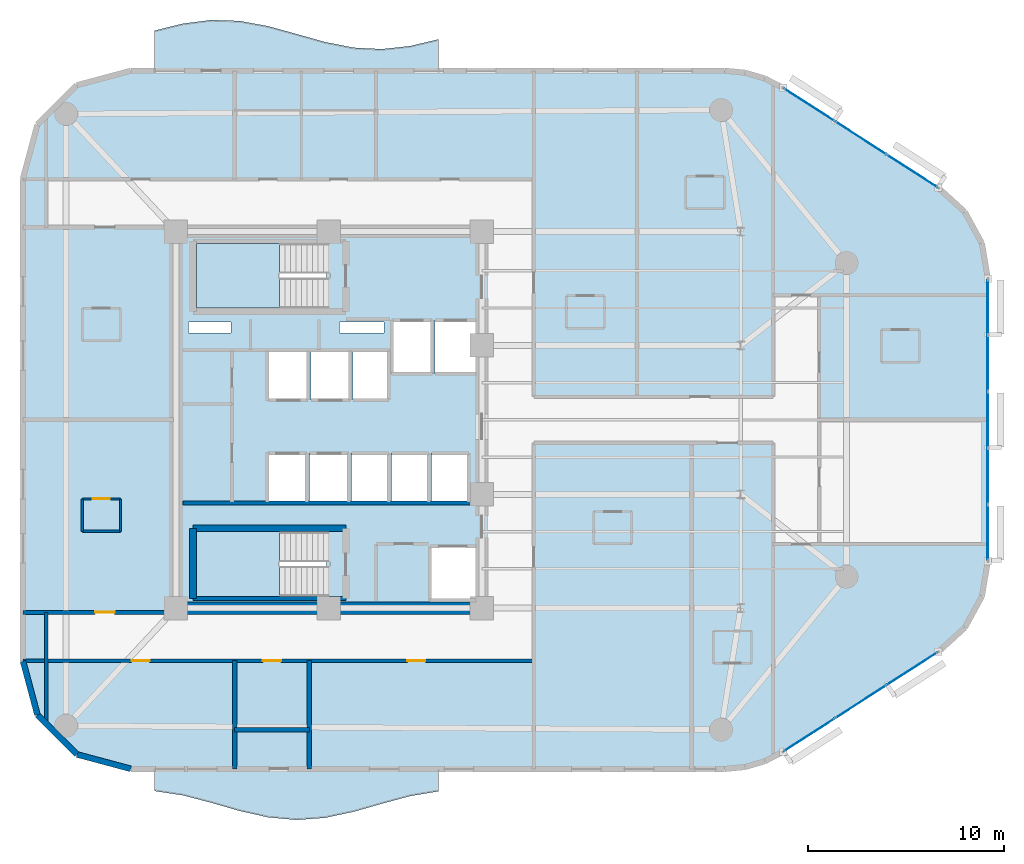
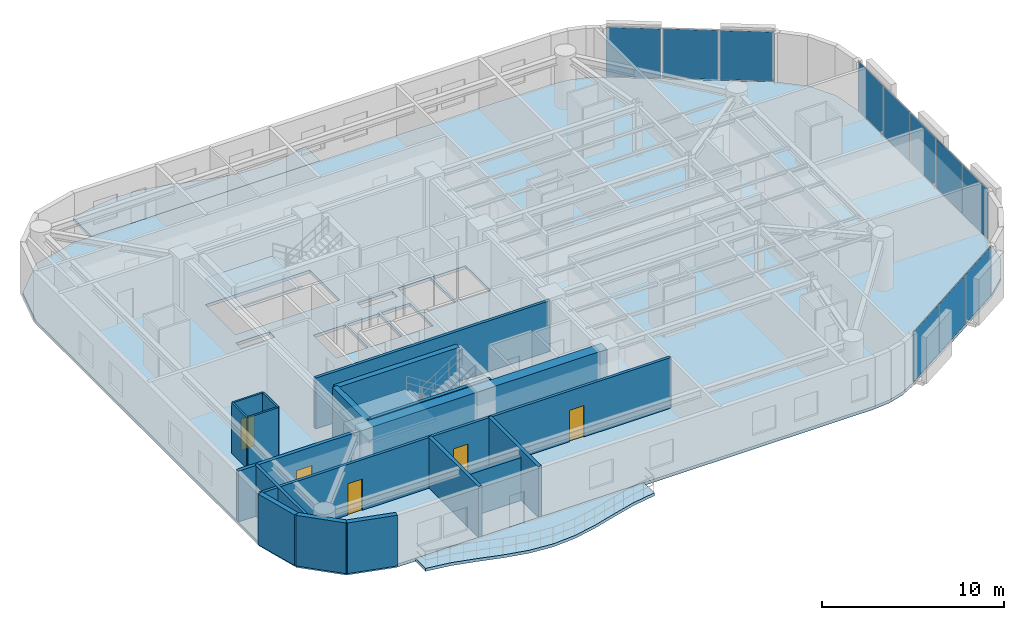
# One storey, part 9 of 15: 18 walls, 11 plates, 5 doors, 5 slabs, 5 openings, 5 elements without a shape of their own.
"""IFC4 building model written with IfcOpenShell, lengths in metres."""

from ifc_helpers import new_model, si_unit, direction, frame, frame_2d, origin, origin_2d, place, context, subcontext, project, spatial, polyline, rectangle, outline, extrude, material, layer, layer_set, type_object, element, fill, aggregate, save


model = new_model("IFC4")

# Units and contexts
model_context = context("Model", 3, precision=1e-05, world=origin(), true_north=direction((0.0, 1.0)))
body_context = subcontext(model_context, "Body", "Model", "MODEL_VIEW")
ifc_project = project(units=[si_unit("LENGTHUNIT", "METRE"), si_unit("AREAUNIT", "SQUARE_METRE"), si_unit("VOLUMEUNIT", "CUBIC_METRE"), si_unit("PLANEANGLEUNIT", "RADIAN"), si_unit("MASSUNIT", "GRAM", prefix="KILO")], contexts=[model_context])

# Site, building, storey
site_placement = place(None, origin())
site = spatial("IfcSite", under=ifc_project, at=site_placement, CompositionType="ELEMENT")
building_placement = place(site_placement, origin())
building = spatial("IfcBuilding", under=site, at=building_placement, Name="An Khanh Terracotta Commons", CompositionType="ELEMENT")
storey_placement = place(building_placement, frame((0.0, 0.0, 143.800048828125)))
storey = spatial("IfcBuildingStorey", under=building, at=storey_placement, Name="L37", CompositionType="ELEMENT", Elevation=143.800048828125)

# Curtain wall, plates
ifc_material_1 = material(Name="Anodised Aluminium 6063-T6", Category="aluminium")
ifc_layer_1 = layer(ifc_material_1, 0.2099609375, Name="Anodised Aluminium 6063-T6")
ifc_layer_set_1 = layer_set([ifc_layer_1], Name="Anodised Aluminium 6063-T6")
curtain_wall_type = type_object("IfcCurtainWallType", Name="CW-SYS-03", PredefinedType="USERDEFINED", material=ifc_layer_set_1)
curtain_wall_1_placement = place(storey_placement, origin())
curtain_wall_1 = element("IfcCurtainWall", 1, at=curtain_wall_1_placement, inside=storey, type_object=curtain_wall_type, Name="L37 CW-03 Unitised Curtain Wall CW-L37-08", ObjectType="UNITISED CURTAIN WALL", PredefinedType="USERDEFINED")
ifc_material_2 = material(Name="Acoustic Laminated Low-E Glazing", Category="glass")
ifc_layer_2 = layer(ifc_material_2, 0.035888671875, Name="Acoustic Laminated Low-E Glazing")
ifc_layer_set_2 = layer_set([ifc_layer_2], Name="Acoustic Laminated Low-E Glazing")
plate_type = type_object("IfcPlateType", Name="CWP-IGU-36", PredefinedType="CURTAIN_PANEL", material=ifc_layer_set_2)
plate_1_placement = place(storey_placement, frame((53.894287109375, 7.935546875, 0.0498046875), z_axis=(0.0, 0.0, 1.0), x_axis=(0.840702081986, 0.541497931062, 0.0)))
plate_1 = element("IfcPlate", 2, at=plate_1_placement, type_object=plate_type, Name="CW-03 panel 1.1", PredefinedType="CURTAIN_PANEL", context=body_context, shape_type="SweptSolid", body=[
    extrude(rectangle(XDim=3.034423828125, YDim=0.035888671875, at=origin_2d()), origin(), (0.0, 0.0, 1.0), 3.300048828125),
])
plate_2_placement = place(storey_placement, frame((56.51904296875, 9.6259765625, 0.0498046875), z_axis=(0.0, 0.0, 1.0), x_axis=(0.840702081986, 0.541497931062, 0.0)))
plate_2 = element("IfcPlate", 3, at=plate_2_placement, type_object=plate_type, Name="CW-03 panel 2.1", PredefinedType="CURTAIN_PANEL", context=body_context, shape_type="SweptSolid", body=[
    extrude(rectangle(XDim=3.0693359375, YDim=0.035888671875, at=origin_2d()), origin(), (0.0, 0.0, 1.0), 3.300048828125),
])
plate_3_placement = place(storey_placement, frame((59.1435546875, 11.31640625, 0.0498046875), z_axis=(0.0, 0.0, 1.0), x_axis=(0.840702081986, 0.541497931062, 0.0)))
plate_3 = element("IfcPlate", 4, at=plate_3_placement, type_object=plate_type, Name="CW-03 panel 3.1", PredefinedType="CURTAIN_PANEL", context=body_context, shape_type="SweptSolid", body=[
    extrude(rectangle(XDim=3.034423828125, YDim=0.035888671875, at=origin_2d()), origin(), (0.0, 0.0, 1.0), 3.300048828125),
])
aggregate(curtain_wall_1, [plate_1, plate_2, plate_3])

curtain_wall_2_placement = place(storey_placement, origin())
curtain_wall_2 = element("IfcCurtainWall", 5, at=curtain_wall_2_placement, inside=storey, type_object=curtain_wall_type, Name="L37 CW-03 Unitised Curtain Wall CW-L37-12", ObjectType="UNITISED CURTAIN WALL", PredefinedType="USERDEFINED")
plate_4_placement = place(storey_placement, frame((63.0, 18.257568359375, 0.0498046875), z_axis=(0.0, 0.0, 1.0), x_axis=(0.0, 1.0, 0.0)))
plate_4 = element("IfcPlate", 6, at=plate_4_placement, type_object=plate_type, Name="CW-03 panel 1.1", PredefinedType="CURTAIN_PANEL", context=body_context, shape_type="SweptSolid", body=[
    extrude(rectangle(XDim=2.77490234375, YDim=0.035888671875, at=origin_2d()), origin(), (0.0, 0.0, 1.0), 3.300048828125),
])
plate_5_placement = place(storey_placement, frame((63.0, 21.1201171875, 0.0498046875), z_axis=(0.0, 0.0, 1.0), x_axis=(0.0, 1.0, 0.0)))
plate_5 = element("IfcPlate", 7, at=plate_5_placement, type_object=plate_type, Name="CW-03 panel 2.1", PredefinedType="CURTAIN_PANEL", context=body_context, shape_type="SweptSolid", body=[
    extrude(rectangle(XDim=2.81005859375, YDim=0.035888671875, at=origin_2d()), origin(), (0.0, 0.0, 1.0), 3.300048828125),
])
plate_6_placement = place(storey_placement, frame((63.0, 24.0, 0.0498046875), z_axis=(0.0, 0.0, 1.0), x_axis=(0.0, 1.0, 0.0)))
plate_6 = element("IfcPlate", 8, at=plate_6_placement, type_object=plate_type, Name="CW-03 panel 3.1", PredefinedType="CURTAIN_PANEL", context=body_context, shape_type="SweptSolid", body=[
    extrude(rectangle(XDim=2.81005859375, YDim=0.035888671875, at=origin_2d()), origin(), (0.0, 0.0, 1.0), 3.300048828125),
])
plate_7_placement = place(storey_placement, frame((63.0, 26.8798828125, 0.0498046875), z_axis=(0.0, 0.0, 1.0), x_axis=(0.0, 1.0, 0.0)))
plate_7 = element("IfcPlate", 9, at=plate_7_placement, type_object=plate_type, Name="CW-03 panel 4.1", PredefinedType="CURTAIN_PANEL", context=body_context, shape_type="SweptSolid", body=[
    extrude(rectangle(XDim=2.81005859375, YDim=0.035888671875, at=origin_2d()), origin(), (0.0, 0.0, 1.0), 3.300048828125),
])
plate_8_placement = place(storey_placement, frame((63.0, 29.742431640625, 0.0498046875), z_axis=(0.0, 0.0, 1.0), x_axis=(0.0, 1.0, 0.0)))
plate_8 = element("IfcPlate", 10, at=plate_8_placement, type_object=plate_type, Name="CW-03 panel 5.1", PredefinedType="CURTAIN_PANEL", context=body_context, shape_type="SweptSolid", body=[
    extrude(rectangle(XDim=2.77490234375, YDim=0.035888671875, at=origin_2d()), origin(), (0.0, 0.0, 1.0), 3.300048828125),
])
aggregate(curtain_wall_2, [plate_4, plate_5, plate_6, plate_7, plate_8])

curtain_wall_3_placement = place(storey_placement, origin())
curtain_wall_3 = element("IfcCurtainWall", 11, at=curtain_wall_3_placement, inside=storey, type_object=curtain_wall_type, Name="L37 CW-03 Unitised Curtain Wall CW-L37-16", ObjectType="UNITISED CURTAIN WALL", PredefinedType="USERDEFINED")
plate_9_placement = place(storey_placement, frame((59.1435546875, 36.68359375, 0.0498046875), z_axis=(0.0, 0.0, 1.0), x_axis=(-0.840702081986, 0.541497931062, 0.0)))
plate_9 = element("IfcPlate", 12, at=plate_9_placement, type_object=plate_type, Name="CW-03 panel 1.1", PredefinedType="CURTAIN_PANEL", context=body_context, shape_type="SweptSolid", body=[
    extrude(rectangle(XDim=3.034423828125, YDim=0.035888671875, at=origin_2d()), origin(), (0.0, 0.0, 1.0), 3.300048828125),
])
plate_10_placement = place(storey_placement, frame((56.51904296875, 38.3740234375, 0.0498046875), z_axis=(0.0, 0.0, 1.0), x_axis=(-0.840702081986, 0.541497931062, 0.0)))
plate_10 = element("IfcPlate", 13, at=plate_10_placement, type_object=plate_type, Name="CW-03 panel 2.1", PredefinedType="CURTAIN_PANEL", context=body_context, shape_type="SweptSolid", body=[
    extrude(rectangle(XDim=3.0693359375, YDim=0.035888671875, at=origin_2d()), origin(), (0.0, 0.0, 1.0), 3.300048828125),
])
plate_11_placement = place(storey_placement, frame((53.894287109375, 40.064453125, 0.0498046875), z_axis=(0.0, 0.0, 1.0), x_axis=(-0.840702081986, 0.541497931062, 0.0)))
plate_11 = element("IfcPlate", 14, at=plate_11_placement, type_object=plate_type, Name="CW-03 panel 3.1", PredefinedType="CURTAIN_PANEL", context=body_context, shape_type="SweptSolid", body=[
    extrude(rectangle(XDim=3.034423828125, YDim=0.035888671875, at=origin_2d()), origin(), (0.0, 0.0, 1.0), 3.300048828125),
])
aggregate(curtain_wall_3, [plate_9, plate_10, plate_11])

# Slabs
ifc_material_3 = material(Name="Concrete C40/50", Category="concrete")
ifc_layer_3 = layer(ifc_material_3, 0.199951171875, Name="Concrete C40/50")
ifc_layer_set_3 = layer_set([ifc_layer_3], Name="Concrete C40/50")
slab_type_1 = type_object("IfcSlabType", Name="SLAB-BALC-200", PredefinedType="FLOOR", material=ifc_layer_set_3)
slab_1_placement = place(storey_placement, frame((0.0, 0.0, -0.199951171875)))
element("IfcSlab", 15, at=slab_1_placement, inside=storey, type_object=slab_type_1, Name="L37 S Sinusoidal Wave Balcony Slab", PredefinedType="FLOOR", context=body_context, shape_type="SweptSolid", body=[
    extrude(outline(polyline([(20.5, 6.199951171875), (20.5, 5.073974609375), (21.949951171875, 4.85498046875), (23.39990234375, 4.47705078125), (24.85009765625, 4.05810546875), (26.300048828125, 3.73193359375), (27.75, 3.60009765625), (29.199951171875, 3.705078125), (30.64990234375, 4.013916015625), (32.10009765625, 4.427978515625), (33.550048828125, 4.818115234375), (35.0, 5.06005859375), (35.0, 6.199951171875), (20.5, 6.199951171875)])), origin(), (0.0, 0.0, 1.0), 0.199951171875),
])
slab_2_placement = place(storey_placement, frame((0.0, 0.0, -0.199951171875)))
element("IfcSlab", 16, at=slab_2_placement, inside=storey, type_object=slab_type_1, Name="L37 N Sinusoidal Wave Balcony Slab", PredefinedType="FLOOR", context=body_context, shape_type="SweptSolid", body=[
    extrude(outline(polyline([(35.0, 41.800048828125), (35.0, 43.408935546875), (33.550048828125, 43.06396484375), (32.10009765625, 42.904052734375), (30.64990234375, 42.97998046875), (29.199951171875, 43.26708984375), (27.75, 43.675048828125), (26.300048828125, 44.074951171875), (24.85009765625, 44.341064453125), (23.39990234375, 44.388916015625), (21.949951171875, 44.2041015625), (20.5, 43.843994140625), (20.5, 41.800048828125), (35.0, 41.800048828125)])), origin(), (0.0, 0.0, 1.0), 0.199951171875),
])

# Stair, slab
ifc_material_4 = material(Name="Precast concrete C40/50", Category="concrete")
stair_type = type_object("IfcStairType", Name="STAIR-CORE-1550", PredefinedType="HALF_TURN_STAIR", material=ifc_material_4)
stair_1_placement = place(storey_placement, origin())
stair_1 = element("IfcStair", 17, at=stair_1_placement, inside=storey, type_object=stair_type, Name="L37 Core Smokeproof Exit Stair ST-01", PredefinedType="HALF_TURN_STAIR")
ifc_layer_4 = layer(ifc_material_3, 0.18994140625, Name="Concrete C40/50")
ifc_layer_set_4 = layer_set([ifc_layer_4], Name="Concrete C40/50")
slab_type_2 = type_object("IfcSlabType", Name="SLAB-LANDING-190", PredefinedType="LANDING", material=ifc_layer_set_4)
slab_3_placement = place(storey_placement, frame((0.0, 0.0, 1.599853515625)))
slab_3 = element("IfcSlab", 18, at=slab_3_placement, type_object=slab_type_2, Name="ST-01 landing 1", PredefinedType="LANDING", context=body_context, shape_type="SweptSolid", body=[
    extrude(outline(polyline([(26.889892578125, 33.0), (22.64990234375, 33.0), (22.64990234375, 29.699951171875), (26.889892578125, 29.699951171875), (26.889892578125, 33.0)])), origin(), (0.0, 0.0, 1.0), 0.2001953125),
])
aggregate(stair_1, [slab_3])

stair_2_placement = place(storey_placement, origin())
stair_2 = element("IfcStair", 19, at=stair_2_placement, inside=storey, type_object=stair_type, Name="L37 Core Smokeproof Exit Stair ST-02", PredefinedType="HALF_TURN_STAIR")
slab_4_placement = place(storey_placement, frame((0.0, 0.0, 1.599853515625)))
slab_4 = element("IfcSlab", 20, at=slab_4_placement, type_object=slab_type_2, Name="ST-02 landing 1", PredefinedType="LANDING", context=body_context, shape_type="SweptSolid", body=[
    extrude(outline(polyline([(26.889892578125, 18.300048828125), (22.64990234375, 18.300048828125), (22.64990234375, 15.0), (26.889892578125, 15.0), (26.889892578125, 18.300048828125)])), origin(), (0.0, 0.0, 1.0), 0.2001953125),
])
aggregate(stair_2, [slab_4])

# Slab
ifc_layer_5 = layer(ifc_material_3, 0.199951171875, Name="Concrete C40/50")
ifc_layer_set_5 = layer_set([ifc_layer_5], Name="Concrete C40/50")
slab_type_3 = type_object("IfcSlabType", Name="SLAB-TYP-200", PredefinedType="FLOOR", material=ifc_layer_set_5)
slab_5_placement = place(storey_placement, frame((0.0, 0.0, -0.199951171875)))
element("IfcSlab", 21, at=slab_5_placement, inside=storey, type_object=slab_type_3, Name="L37 Structural Floor Slab", PredefinedType="FLOOR", context=body_context, shape_type="SweptSolid", body=[
    extrude(outline(polyline([(13.800048828125, 11.699951171875), (14.537109375, 8.949951171875), (16.550048828125, 6.93701171875), (19.300048828125, 6.199951171875), (49.58203125, 6.199951171875), (50.625, 6.300048828125), (51.6298828125, 6.594970703125), (52.56005859375, 7.075927734375), (60.47802734375, 12.176025390625), (61.825927734375, 13.403076171875), (62.697998046875, 15.0029296875), (63.0, 16.800048828125), (63.0, 31.199951171875), (62.697998046875, 32.9970703125), (61.825927734375, 34.596923828125), (60.47802734375, 35.823974609375), (52.56005859375, 40.924072265625), (51.6298828125, 41.405029296875), (50.625, 41.699951171875), (49.58203125, 41.800048828125), (19.300048828125, 41.800048828125), (16.550048828125, 41.06298828125), (14.537109375, 39.050048828125), (13.800048828125, 36.300048828125), (13.800048828125, 11.699951171875)]), holes=[polyline([(22.64990234375, 29.699951171875), (29.27001953125, 29.699951171875), (29.27001953125, 33.0), (22.64990234375, 33.0), (22.64990234375, 29.699951171875)]), polyline([(22.64990234375, 15.0), (29.27001953125, 15.0), (29.27001953125, 18.300048828125), (22.64990234375, 18.300048828125), (22.64990234375, 15.0)]), polyline([(32.60009765625, 26.35009765625), (34.679931640625, 26.35009765625), (34.679931640625, 29.080078125), (32.60009765625, 29.080078125), (32.60009765625, 26.35009765625)]), polyline([(34.820068359375, 26.35009765625), (36.89990234375, 26.35009765625), (36.89990234375, 29.080078125), (34.820068359375, 29.080078125), (34.820068359375, 26.35009765625)]), polyline([(34.550048828125, 14.800048828125), (36.89990234375, 14.800048828125), (36.89990234375, 17.550048828125), (34.550048828125, 17.550048828125), (34.550048828125, 14.800048828125)]), polyline([(26.320068359375, 25.0), (28.340087890625, 25.0), (28.340087890625, 27.5), (26.320068359375, 27.5), (26.320068359375, 25.0)]), polyline([(28.47998046875, 25.0), (30.5, 25.0), (30.5, 27.5), (28.47998046875, 27.5), (28.47998046875, 25.0)]), polyline([(26.280029296875, 19.800048828125), (28.280029296875, 19.800048828125), (28.280029296875, 22.300048828125), (26.280029296875, 22.300048828125), (26.280029296875, 19.800048828125)]), polyline([(28.419921875, 19.800048828125), (30.419921875, 19.800048828125), (30.419921875, 22.300048828125), (28.419921875, 22.300048828125), (28.419921875, 19.800048828125)]), polyline([(30.639892578125, 25.0), (32.4599609375, 25.0), (32.4599609375, 27.5), (30.639892578125, 27.5), (30.639892578125, 25.0)]), polyline([(30.56005859375, 19.800048828125), (32.4599609375, 19.800048828125), (32.4599609375, 22.300048828125), (30.56005859375, 22.300048828125), (30.56005859375, 19.800048828125)]), polyline([(32.60009765625, 19.800048828125), (34.5, 19.800048828125), (34.5, 22.300048828125), (32.60009765625, 22.300048828125), (32.60009765625, 19.800048828125)]), polyline([(34.639892578125, 19.800048828125), (36.5400390625, 19.800048828125), (36.5400390625, 22.300048828125), (34.639892578125, 22.300048828125), (34.639892578125, 19.800048828125)]), polyline([(22.25, 28.419921875), (24.39990234375, 28.419921875), (24.39990234375, 28.97998046875), (22.25, 28.97998046875), (22.25, 28.419921875)]), polyline([(29.949951171875, 28.419921875), (32.199951171875, 28.419921875), (32.199951171875, 28.97998046875), (29.949951171875, 28.97998046875), (29.949951171875, 28.419921875)])]), origin(), (0.0, 0.0, 1.0), 0.199951171875),
])

# Walls
ifc_material_5 = material(Name="Concrete C60/75", Category="concrete")
ifc_layer_6 = layer(ifc_material_5, 0.64990234375, Name="Concrete C60/75")
ifc_layer_set_6 = layer_set([ifc_layer_6], Name="Concrete C60/75")
wall_type_1 = type_object("IfcWallType", Name="WALL-CORE-650", PredefinedType="SHEAR", material=ifc_layer_set_6)
wall_1_placement = place(storey_placement, frame((37.199951171875, 14.39990234375, 0.0), z_axis=(0.0, 0.0, 1.0), x_axis=(-1.0, 0.0, 0.0)))
element("IfcWall", 22, at=wall_1_placement, inside=storey, type_object=wall_type_1, Name="L37 Core Wall CWALL-L37-S", PredefinedType="SHEAR", context=body_context, shape_type="SweptSolid", body=[
    extrude(rectangle(XDim=15.599853515625, YDim=0.64990234375, at=frame_2d((7.7998046875, 0.0))), origin(), (0.0, 0.0, 1.0), 3.39990234375),
])
ifc_material_6 = material(Name="Fire-Rated Gypsum Board on Steel Stud", Category="steel")
ifc_layer_7 = layer(ifc_material_6, 0.179931640625, Name="Fire-Rated Gypsum Board on Steel Stud")
ifc_layer_set_7 = layer_set([ifc_layer_7], Name="Fire-Rated Gypsum Board on Steel Stud")
wall_type_2 = type_object("IfcWallType", Name="WALL-CORR-180", PredefinedType="PARTITIONING", material=ifc_layer_set_7)
wall_2_placement = place(storey_placement, frame((21.949951171875, 19.760009765625, 0.0), z_axis=(0.0, 0.0, 1.0), x_axis=(1.0, 0.0, 0.0)))
element("IfcWall", 23, at=wall_2_placement, inside=storey, type_object=wall_type_2, Name="L37 Core Wall SVW-L37-N", PredefinedType="PARTITIONING", context=body_context, shape_type="SweptSolid", body=[
    extrude(rectangle(XDim=14.8701171875, YDim=0.179931640625, at=frame_2d((7.43505859375, 0.0))), origin(), (0.0, 0.0, 1.0), 3.39990234375),
])

# Wall, openings, doors
wall_3_placement = place(storey_placement, frame((13.800048828125, 11.719970703125, 0.0), z_axis=(0.0, 0.0, 1.0), x_axis=(1.0, 0.0, 0.0)))
wall_3 = element("IfcWall", 24, at=wall_3_placement, inside=storey, type_object=wall_type_2, Name="L37 Interior Partition IW-L37-E002", PredefinedType="PARTITIONING", context=body_context, shape_type="SweptSolid", body=[
    extrude(rectangle(XDim=26.050048828125, YDim=0.179931640625, at=frame_2d((13.02490234375, 0.0))), origin(), (0.0, 0.0, 1.0), 3.39990234375),
])
opening_1_placement = place(wall_3_placement, frame((12.239990234375, 0.0, 0.0)))
opening_1 = element("IfcOpeningElement", 25, at=opening_1_placement, cuts=wall_3, Name="Opening D-RM", PredefinedType="OPENING", context=body_context, shape_type="SweptSolid", body=[
    extrude(rectangle(XDim=0.919921875, YDim=2.10009765625, at=frame_2d((0.4599609375, 1.050048828125))), frame((0.0, 0.099853515625, 0.0), z_axis=(0.0, -1.0, 0.0), x_axis=(1.0, 0.0, 0.0)), (0.0, 0.0, 1.0), 0.199951171875),
])
opening_2_placement = place(wall_3_placement, frame((5.5400390625, 0.0, 0.0)))
opening_2 = element("IfcOpeningElement", 26, at=opening_2_placement, cuts=wall_3, Name="Opening D-RM", PredefinedType="OPENING", context=body_context, shape_type="SweptSolid", body=[
    extrude(rectangle(XDim=0.919921875, YDim=2.10009765625, at=frame_2d((0.4599609375, 1.050048828125))), frame((0.0, 0.099853515625, 0.0), z_axis=(0.0, -1.0, 0.0), x_axis=(1.0, 0.0, 0.0)), (0.0, 0.0, 1.0), 0.199951171875),
])
opening_3_placement = place(wall_3_placement, frame((19.60498046875, 0.0, 0.0)))
opening_3 = element("IfcOpeningElement", 27, at=opening_3_placement, cuts=wall_3, Name="Opening D-RM", PredefinedType="OPENING", context=body_context, shape_type="SweptSolid", body=[
    extrude(rectangle(XDim=0.919921875, YDim=2.10009765625, at=frame_2d((0.4599609375, 1.050048828125))), frame((0.0, 0.099853515625, 0.0), z_axis=(0.0, -1.0, 0.0), x_axis=(1.0, 0.0, 0.0)), (0.0, 0.0, 1.0), 0.199951171875),
])
ifc_material_7 = material(Name="Engineered Hardwood Timber Leaf", Category="wood")
door_type_1 = type_object("IfcDoorType", Name="DOOR-INT-920", OperationType="NOTDEFINED", PredefinedType="DOOR", material=ifc_material_7)
door_1_placement = place(opening_1_placement, origin())
door_1 = element("IfcDoor", 28, at=door_1_placement, inside=storey, type_object=door_type_1, Name="L37 HKP Housekeeping Linen Store Door", OperationType="SINGLE_SWING_RIGHT", OverallHeight=2.10009765625, OverallWidth=0.919921875, PredefinedType="DOOR", context=body_context, shape_type="SweptSolid", body=[
    extrude(rectangle(XDim=0.919921875, YDim=2.10009765625, at=frame_2d((0.4599609375, 1.050048828125))), frame((0.0, 0.02490234375, 0.0), z_axis=(0.0, -1.0, 0.0), x_axis=(1.0, 0.0, 0.0)), (0.0, 0.0, 1.0), 0.050048828125),
])
fill(opening_1, door_1)
door_2_placement = place(opening_2_placement, origin())
door_2 = element("IfcDoor", 29, at=door_2_placement, inside=storey, type_object=door_type_1, Name="L37 SW1 Co-Living Master Bedroom Door", OperationType="SINGLE_SWING_LEFT", OverallHeight=2.10009765625, OverallWidth=0.919921875, PredefinedType="DOOR", context=body_context, shape_type="SweptSolid", body=[
    extrude(rectangle(XDim=0.919921875, YDim=2.10009765625, at=frame_2d((0.4599609375, 1.050048828125))), frame((0.0, 0.02490234375, 0.0), z_axis=(0.0, -1.0, 0.0), x_axis=(1.0, 0.0, 0.0)), (0.0, 0.0, 1.0), 0.050048828125),
])
fill(opening_2, door_2)
door_3_placement = place(opening_3_placement, origin())
door_3 = element("IfcDoor", 30, at=door_3_placement, inside=storey, type_object=door_type_1, Name="L37 SWE Communal Kitchen and Dining Door", OperationType="SINGLE_SWING_RIGHT", OverallHeight=2.10009765625, OverallWidth=0.919921875, PredefinedType="DOOR", context=body_context, shape_type="SweptSolid", body=[
    extrude(rectangle(XDim=0.919921875, YDim=2.10009765625, at=frame_2d((0.4599609375, 1.050048828125))), frame((0.0, 0.02490234375, 0.0), z_axis=(0.0, -1.0, 0.0), x_axis=(1.0, 0.0, 0.0)), (0.0, 0.0, 1.0), 0.050048828125),
])
fill(opening_3, door_3)

# Walls
wall_4_placement = place(storey_placement, frame((15.0, 8.487060546875, 0.0), z_axis=(0.0, 0.0, 1.0), x_axis=(0.0, 1.0, 0.0)))
element("IfcWall", 31, at=wall_4_placement, inside=storey, type_object=wall_type_2, Name="L37 Interior Partition IW-L37-E013", PredefinedType="PARTITIONING", context=body_context, shape_type="SweptSolid", body=[
    extrude(rectangle(XDim=5.69287109375, YDim=0.179931640625, at=frame_2d((2.846435546875, 0.0))), origin(), (0.0, 0.0, 1.0), 3.39990234375),
])
ifc_layer_8 = layer(ifc_material_4, 0.300048828125, Name="Precast concrete C40/50")
ifc_layer_set_8 = layer_set([ifc_layer_8], Name="Precast concrete C40/50")
wall_type_3 = type_object("IfcWallType", Name="WALL-EXT-300", PredefinedType="SOLIDWALL", material=ifc_layer_set_8)
wall_5_placement = place(storey_placement, frame((13.800048828125, 11.699951171875, 0.0), z_axis=(0.0, 0.0, 1.0), x_axis=(0.258884674387, -0.965908238586, 0.0)))
element("IfcWall", 32, at=wall_5_placement, inside=storey, type_object=wall_type_3, Name="L37 Insulated Terracotta Exterior Wall 1", PredefinedType="SOLIDWALL", context=body_context, shape_type="SweptSolid", body=[
    extrude(rectangle(XDim=2.84716796875, YDim=0.300048828125, at=frame_2d((1.423583984375, 0.0))), origin(), (0.0, 0.0, 1.0), 3.39990234375),
])
wall_6_placement = place(storey_placement, frame((14.537109375, 8.949951171875, 0.0), z_axis=(0.0, 0.0, 1.0), x_axis=(0.707106781187, -0.707106781187, 0.0)))
element("IfcWall", 33, at=wall_6_placement, inside=storey, type_object=wall_type_3, Name="L37 Insulated Terracotta Exterior Wall 2", PredefinedType="SOLIDWALL", context=body_context, shape_type="SweptSolid", body=[
    extrude(rectangle(XDim=2.8466796875, YDim=0.300048828125, at=frame_2d((1.42333984375, 0.0))), origin(), (0.0, 0.0, 1.0), 3.39990234375),
])
wall_7_placement = place(storey_placement, frame((16.550048828125, 6.93701171875, 0.0), z_axis=(0.0, 0.0, 1.0), x_axis=(0.965908238586, -0.258884674387, 0.0)))
element("IfcWall", 34, at=wall_7_placement, inside=storey, type_object=wall_type_3, Name="L37 Insulated Terracotta Exterior Wall 3", PredefinedType="SOLIDWALL", context=body_context, shape_type="SweptSolid", body=[
    extrude(rectangle(XDim=2.84716796875, YDim=0.300048828125, at=frame_2d((1.423583984375, 0.0))), origin(), (0.0, 0.0, 1.0), 3.39990234375),
])
ifc_material_8 = material(Name="Acoustic Double-Stud Gypsum and Mineral Wool")
ifc_layer_9 = layer(ifc_material_8, 0.219970703125, Name="Acoustic Double-Stud Gypsum and Mineral Wool")
ifc_layer_set_9 = layer_set([ifc_layer_9], Name="Acoustic Double-Stud Gypsum and Mineral Wool")
wall_type_4 = type_object("IfcWallType", Name="WALL-PARTY-220", PredefinedType="PARTITIONING", material=ifc_layer_set_9)
wall_8_placement = place(storey_placement, frame((22.47998046875, 14.889892578125, 0.0), z_axis=(0.0, 0.0, 1.0), x_axis=(1.0, 0.0, 0.0)))
element("IfcWall", 35, at=wall_8_placement, inside=storey, type_object=wall_type_4, Name="L37 Core Wall STW-L37-S-S", PredefinedType="PARTITIONING", context=body_context, shape_type="SweptSolid", body=[
    extrude(rectangle(XDim=7.7900390625, YDim=0.219970703125, at=frame_2d((3.89501953125, 0.0))), origin(), (0.0, 0.0, 1.0), 3.39990234375),
])
wall_9_placement = place(storey_placement, frame((24.60009765625, 8.199951171875, 0.0), z_axis=(0.0, 0.0, 1.0), x_axis=(1.0, 0.0, 0.0)))
element("IfcWall", 36, at=wall_9_placement, inside=storey, type_object=wall_type_4, Name="L37 Interior Partition IW-L37-E001", PredefinedType="PARTITIONING", context=body_context, shape_type="SweptSolid", body=[
    extrude(rectangle(XDim=3.7998046875, YDim=0.219970703125, at=frame_2d((1.89990234375, 0.0))), origin(), (0.0, 0.0, 1.0), 2.8818359375),
])

# Wall, opening, door
wall_10_placement = place(storey_placement, frame((13.800048828125, 14.179931640625, 0.0), z_axis=(0.0, 0.0, 1.0), x_axis=(1.0, 0.0, 0.0)))
wall_10 = element("IfcWall", 37, at=wall_10_placement, inside=storey, type_object=wall_type_4, Name="L37 Interior Partition IW-L37-E003", PredefinedType="PARTITIONING", context=body_context, shape_type="SweptSolid", body=[
    extrude(rectangle(XDim=7.679931640625, YDim=0.219970703125, at=frame_2d((3.83984375, 0.0))), origin(), (0.0, 0.0, 1.0), 3.39990234375),
])
opening_4_placement = place(wall_10_placement, frame((3.679931640625, 0.0, 0.0)))
opening_4 = element("IfcOpeningElement", 38, at=opening_4_placement, cuts=wall_10, Name="Opening D-UN", PredefinedType="OPENING", context=body_context, shape_type="SweptSolid", body=[
    extrude(rectangle(XDim=1.0, YDim=2.14990234375, at=frame_2d((0.5, 1.074951171875))), frame((0.0, 0.119873046875, 0.0), z_axis=(0.0, -1.0, 0.0), x_axis=(1.0, 0.0, 0.0)), (0.0, 0.0, 1.0), 0.239990234375),
])
ifc_material_9 = material(Name="Solid-Core Hardwood Acoustic Fire Door", Category="wood")
door_type_2 = type_object("IfcDoorType", Name="DOOR-UNIT-1000", OperationType="NOTDEFINED", PredefinedType="DOOR", material=ifc_material_9)
door_4_placement = place(opening_4_placement, origin())
door_4 = element("IfcDoor", 39, at=door_4_placement, inside=storey, type_object=door_type_2, Name="L37 WW1 Kitchenette and Studio Apartment Door", OperationType="SINGLE_SWING_LEFT", OverallHeight=2.14990234375, OverallWidth=1.0, PredefinedType="DOOR", context=body_context, shape_type="SweptSolid", body=[
    extrude(rectangle(XDim=1.0, YDim=2.14990234375, at=frame_2d((0.5, 1.074951171875))), frame((0.0, 0.02490234375, 0.0), z_axis=(0.0, -1.0, 0.0), x_axis=(1.0, 0.0, 0.0)), (0.0, 0.0, 1.0), 0.050048828125),
])
fill(opening_4, door_4)

# Walls
for number, where, z_axis, x_axis, name in (
    (40, (24.60009765625, 6.199951171875, 0.0), (0.0, 0.0, 1.0), (0.0, 1.0, 0.0), "L37 Interior Partition IW-L37-E015"),
    (41, (28.39990234375, 6.199951171875, 0.0), (0.0, 0.0, 1.0), (0.0, 1.0, 0.0), "L37 Interior Partition IW-L37-E018"),
):
    element("IfcWall", number, at=place(storey_placement, frame(where, z_axis=z_axis, x_axis=x_axis)), inside=storey, type_object=wall_type_4, Name=name, PredefinedType="PARTITIONING", context=body_context, shape_type="SweptSolid", body=[
        extrude(rectangle(XDim=5.52001953125, YDim=0.219970703125, at=frame_2d((2.760009765625, 0.0))), origin(), (0.0, 0.0, 1.0), 3.39990234375),
    ])
ifc_material_10 = material(Name="Concrete C50/60", Category="concrete")
ifc_layer_10 = layer(ifc_material_10, 0.35009765625, Name="Concrete C50/60")
ifc_layer_set_10 = layer_set([ifc_layer_10], Name="Concrete C50/60")
wall_type_5 = type_object("IfcWallType", Name="WALL-SHAFT-350", PredefinedType="SOLIDWALL", material=ifc_layer_set_10)
wall_11_placement = place(storey_placement, frame((22.47998046875, 18.469970703125, 0.0), z_axis=(0.0, 0.0, 1.0), x_axis=(1.0, 0.0, 0.0)))
element("IfcWall", 42, at=wall_11_placement, inside=storey, type_object=wall_type_5, Name="L37 Core Wall STW-L37-S-N", PredefinedType="SOLIDWALL", context=body_context, shape_type="SweptSolid", body=[
    extrude(rectangle(XDim=7.7900390625, YDim=0.35009765625, at=frame_2d((3.89501953125, 0.0))), origin(), (0.0, 0.0, 1.0), 3.39990234375),
])
wall_12_placement = place(storey_placement, frame((22.47998046875, 14.889892578125, 0.0), z_axis=(0.0, 0.0, 1.0), x_axis=(0.0, 1.0, 0.0)))
element("IfcWall", 43, at=wall_12_placement, inside=storey, type_object=wall_type_5, Name="L37 Core Wall STW-L37-S-W", PredefinedType="SOLIDWALL", context=body_context, shape_type="SweptSolid", body=[
    extrude(rectangle(XDim=3.580078125, YDim=0.35009765625, at=frame_2d((1.7900390625, 0.0))), origin(), (0.0, 0.0, 1.0), 3.39990234375),
])

# Wall, opening, door
ifc_material_11 = material(Name="Moisture-Resistant Cement Board Partition")
ifc_layer_11 = layer(ifc_material_11, 0.1201171875, Name="Moisture-Resistant Cement Board Partition")
ifc_layer_set_11 = layer_set([ifc_layer_11], Name="Moisture-Resistant Cement Board Partition")
wall_type_6 = type_object("IfcWallType", Name="WALL-WET-120", PredefinedType="PARTITIONING", material=ifc_layer_set_11)
wall_13_placement = place(storey_placement, frame((16.824951171875, 19.965087890625, 0.0), z_axis=(0.0, 0.0, 1.0), x_axis=(1.0, 0.0, 0.0)))
wall_13 = element("IfcWall", 44, at=wall_13_placement, inside=storey, type_object=wall_type_6, Name="L37 Interior Partition IW-L37-WW1-BN", PredefinedType="PARTITIONING", context=body_context, shape_type="SweptSolid", body=[
    extrude(rectangle(XDim=1.949951171875, YDim=0.1201171875, at=frame_2d((0.97509765625, 0.0))), origin(), (0.0, 0.0, 1.0), 3.39990234375),
])
opening_5_placement = place(wall_13_placement, frame((0.544921875, 0.0, 0.0)))
opening_5 = element("IfcOpeningElement", 45, at=opening_5_placement, cuts=wall_13, Name="Opening D-ENS", PredefinedType="OPENING", context=body_context, shape_type="SweptSolid", body=[
    extrude(rectangle(XDim=0.860107421875, YDim=2.10009765625, at=frame_2d((0.43017578125, 1.050048828125))), frame((0.0, 0.070068359375, 0.0), z_axis=(0.0, -1.0, 0.0), x_axis=(1.0, 0.0, 0.0)), (0.0, 0.0, 1.0), 0.14013671875),
])
ifc_material_12 = material(Name="Moisture-Resistant Hardwood Timber Leaf", Category="wood")
door_type_3 = type_object("IfcDoorType", Name="DOOR-BATH-860", OperationType="NOTDEFINED", PredefinedType="DOOR", material=ifc_material_12)
door_5_placement = place(opening_5_placement, origin())
door_5 = element("IfcDoor", 46, at=door_5_placement, inside=storey, type_object=door_type_3, Name="L37 Studio WW1 En-suite Door", OperationType="SINGLE_SWING_RIGHT", OverallHeight=2.10009765625, OverallWidth=0.860107421875, PredefinedType="DOOR", context=body_context, shape_type="SweptSolid", body=[
    extrude(rectangle(XDim=0.860107421875, YDim=2.10009765625, at=frame_2d((0.43017578125, 1.050048828125))), frame((0.0, 0.02490234375, 0.0), z_axis=(0.0, -1.0, 0.0), x_axis=(1.0, 0.0, 0.0)), (0.0, 0.0, 1.0), 0.050048828125),
])
fill(opening_5, door_5)

# Walls
wall_14_placement = place(storey_placement, frame((18.77490234375, 18.31494140625, 0.0), z_axis=(0.0, 0.0, 1.0), x_axis=(-1.0, 0.0, 0.0)))
element("IfcWall", 47, at=wall_14_placement, inside=storey, type_object=wall_type_6, Name="L37 Interior Partition IW-L37-WW1-BS", PredefinedType="PARTITIONING", context=body_context, shape_type="SweptSolid", body=[
    extrude(rectangle(XDim=1.949951171875, YDim=0.1201171875, at=frame_2d((0.97509765625, 0.0))), origin(), (0.0, 0.0, 1.0), 3.39990234375),
])
for number, where, z_axis, x_axis, name in (
    (48, (16.824951171875, 19.965087890625, 0.0), (0.0, 0.0, 1.0), (0.0, -1.0, 0.0), "L37 Interior Partition IW-L37-WW1-BW"),
    (49, (18.77490234375, 18.31494140625, 0.0), (0.0, 0.0, 1.0), (0.0, 1.0, 0.0), "L37 Interior Partition IW-L37-WW1-BE"),
):
    element("IfcWall", number, at=place(storey_placement, frame(where, z_axis=z_axis, x_axis=x_axis)), inside=storey, type_object=wall_type_6, Name=name, PredefinedType="PARTITIONING", context=body_context, shape_type="SweptSolid", body=[
        extrude(rectangle(XDim=1.650146484375, YDim=0.1201171875, at=frame_2d((0.8251953125, 0.0))), origin(), (0.0, 0.0, 1.0), 3.39990234375),
    ])

save(model, "model.ifc")
